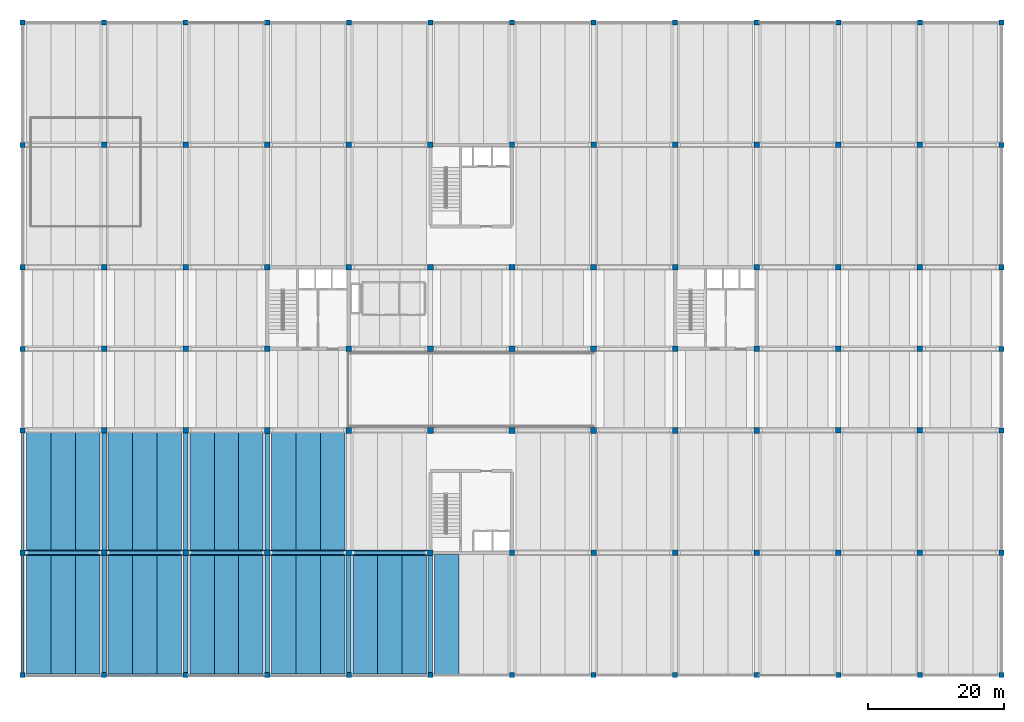
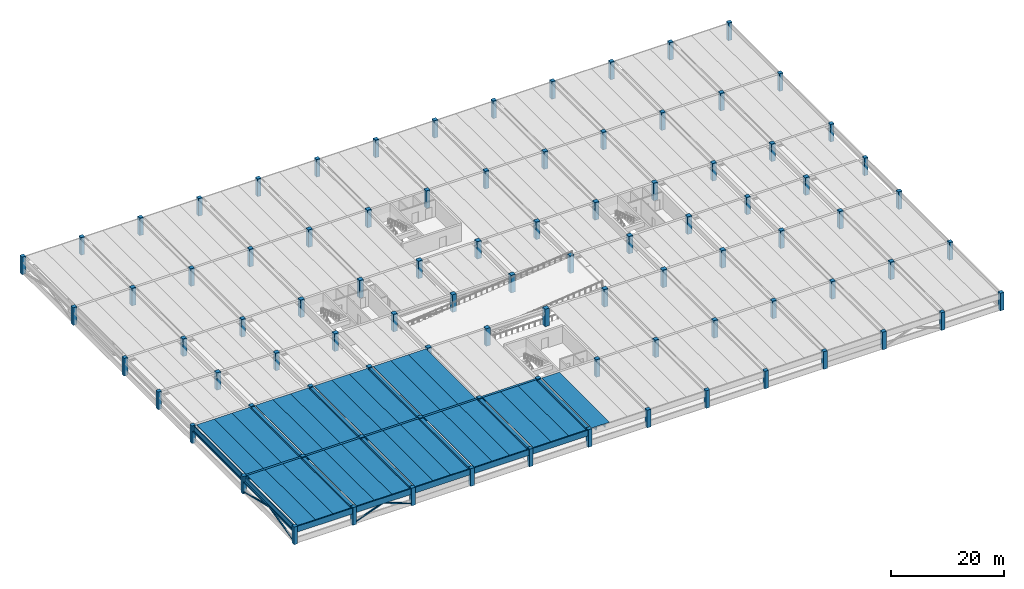
# One storey, part 1 of 14: 91 columns, 48 beams, 4 members.
"""IFC4 building model written with IfcOpenShell, lengths in metres."""

from ifc_helpers import new_model, si_unit, direction, frame, origin, origin_2d, place, context, subcontext, project, spatial, polyline, rectangle, hollow_rectangle, outline, extrude, material, material_profile, profile_set, type_object, element, save


model = new_model("IFC4")

# Units and contexts
model_context = context("Model", 3, precision=1e-05, world=origin(), true_north=direction((0.0, 1.0)))
body_context = subcontext(model_context, "Body", "Model", "MODEL_VIEW")
ifc_project = project(units=[si_unit("LENGTHUNIT", "METRE"), si_unit("AREAUNIT", "SQUARE_METRE"), si_unit("VOLUMEUNIT", "CUBIC_METRE"), si_unit("PLANEANGLEUNIT", "RADIAN"), si_unit("MASSUNIT", "GRAM", prefix="KILO")], contexts=[model_context])

# Site, building, storey
site_placement = place(None, origin())
site = spatial("IfcSite", under=ifc_project, at=site_placement, CompositionType="ELEMENT")
building_placement = place(site_placement, origin())
building = spatial("IfcBuilding", under=site, at=building_placement, Name="Girod Span Mobility Hub", CompositionType="ELEMENT")
storey_placement = place(building_placement, frame((0.0, 0.0, 24.800048828125)))
storey = spatial("IfcBuildingStorey", under=building, at=storey_placement, Name="L06", CompositionType="ELEMENT", Elevation=24.800048828125)

# Columns
ifc_material_1 = material(Name="Concrete C40/50", Category="concrete")
ifc_material_profile_1 = material_profile(ifc_material_1, rectangle(XDim=0.75, YDim=0.75, at=origin_2d()), Name="PC-COL-750X750")
ifc_profile_set_1 = profile_set([ifc_material_profile_1], Name="Concrete C40/50")
column_type_1 = type_object("IfcColumnType", Name="COL-PC-750X750", PredefinedType="COLUMN", material=ifc_profile_set_1)
for number, where, z_axis, x_axis, name in (
    (1, (12.0, 9.0, 0.0), (0.0, 0.0, 1.0), (1.0, 0.0, 0.0), "Column 2B L06"),
    (2, (12.0, 27.0, 0.0), (0.0, 0.0, 1.0), (1.0, 0.0, 0.0), "Column 2C L06"),
    (3, (12.0, 45.0, 0.0), (0.0, 0.0, 1.0), (1.0, 0.0, 0.0), "Column 2D L06"),
    (4, (12.0, 57.0, 0.0), (0.0, 0.0, 1.0), (1.0, 0.0, 0.0), "Column 2E L06"),
    (5, (12.0, 69.0, 0.0), (0.0, 0.0, 1.0), (1.0, 0.0, 0.0), "Column 2F L06"),
    (6, (12.0, 87.0, 0.0), (0.0, 0.0, 1.0), (1.0, 0.0, 0.0), "Column 2G L06"),
    (7, (12.0, 105.0, 0.0), (0.0, 0.0, 1.0), (1.0, 0.0, 0.0), "Column 2H L06"),
    (8, (24.0, 9.0, 0.0), (0.0, 0.0, 1.0), (1.0, 0.0, 0.0), "Column 3B L06"),
    (9, (24.0, 105.0, 0.0), (0.0, 0.0, 1.0), (1.0, 0.0, 0.0), "Column 3H L06"),
    (10, (36.0, 9.0, 0.0), (0.0, 0.0, 1.0), (1.0, 0.0, 0.0), "Column 4B L06"),
    (11, (36.0, 105.0, 0.0), (0.0, 0.0, 1.0), (1.0, 0.0, 0.0), "Column 4H L06"),
    (12, (48.0, 9.0, 0.0), (0.0, 0.0, 1.0), (1.0, 0.0, 0.0), "Column 5B L06"),
    (13, (48.0, 105.0, 0.0), (0.0, 0.0, 1.0), (1.0, 0.0, 0.0), "Column 5H L06"),
    (14, (60.0, 9.0, 0.0), (0.0, 0.0, 1.0), (1.0, 0.0, 0.0), "Column 6B L06"),
    (15, (60.0, 105.0, 0.0), (0.0, 0.0, 1.0), (1.0, 0.0, 0.0), "Column 6H L06"),
    (16, (72.0, 9.0, 0.0), (0.0, 0.0, 1.0), (1.0, 0.0, 0.0), "Column 7B L06"),
    (17, (72.0, 105.0, 0.0), (0.0, 0.0, 1.0), (1.0, 0.0, 0.0), "Column 7H L06"),
    (18, (84.0, 9.0, 0.0), (0.0, 0.0, 1.0), (1.0, 0.0, 0.0), "Column 8B L06"),
    (19, (84.0, 105.0, 0.0), (0.0, 0.0, 1.0), (1.0, 0.0, 0.0), "Column 8H L06"),
    (20, (96.0, 9.0, 0.0), (0.0, 0.0, 1.0), (1.0, 0.0, 0.0), "Column 9B L06"),
    (21, (96.0, 105.0, 0.0), (0.0, 0.0, 1.0), (1.0, 0.0, 0.0), "Column 9H L06"),
    (22, (108.0, 9.0, 0.0), (0.0, 0.0, 1.0), (1.0, 0.0, 0.0), "Column 10B L06"),
    (23, (108.0, 105.0, 0.0), (0.0, 0.0, 1.0), (1.0, 0.0, 0.0), "Column 10H L06"),
    (24, (120.0, 9.0, 0.0), (0.0, 0.0, 1.0), (1.0, 0.0, 0.0), "Column 11B L06"),
    (25, (120.0, 105.0, 0.0), (0.0, 0.0, 1.0), (1.0, 0.0, 0.0), "Column 11H L06"),
    (26, (132.0, 9.0, 0.0), (0.0, 0.0, 1.0), (1.0, 0.0, 0.0), "Column 12B L06"),
    (27, (132.0, 105.0, 0.0), (0.0, 0.0, 1.0), (1.0, 0.0, 0.0), "Column 12H L06"),
    (28, (144.0, 9.0, 0.0), (0.0, 0.0, 1.0), (1.0, 0.0, 0.0), "Column 13B L06"),
    (29, (144.0, 105.0, 0.0), (0.0, 0.0, 1.0), (1.0, 0.0, 0.0), "Column 13H L06"),
    (30, (156.0, 9.0, 0.0), (0.0, 0.0, 1.0), (1.0, 0.0, 0.0), "Column 14B L06"),
    (31, (156.0, 27.0, 0.0), (0.0, 0.0, 1.0), (1.0, 0.0, 0.0), "Column 14C L06"),
    (32, (156.0, 45.0, 0.0), (0.0, 0.0, 1.0), (1.0, 0.0, 0.0), "Column 14D L06"),
    (33, (156.0, 57.0, 0.0), (0.0, 0.0, 1.0), (1.0, 0.0, 0.0), "Column 14E L06"),
    (34, (156.0, 69.0, 0.0), (0.0, 0.0, 1.0), (1.0, 0.0, 0.0), "Column 14F L06"),
    (35, (156.0, 87.0, 0.0), (0.0, 0.0, 1.0), (1.0, 0.0, 0.0), "Column 14G L06"),
    (36, (156.0, 105.0, 0.0), (0.0, 0.0, 1.0), (1.0, 0.0, 0.0), "Column 14H L06"),
):
    element("IfcColumn", number, at=place(storey_placement, frame(where, z_axis=z_axis, x_axis=x_axis)), inside=storey, type_object=column_type_1, Name=name, PredefinedType="COLUMN", context=body_context, shape_type="SweptSolid", body=[
        extrude(rectangle(XDim=0.75, YDim=0.75, at=origin_2d()), origin(), (0.0, 0.0, 1.0), 3.800048828125),
    ])
ifc_material_2 = material(Name="Concrete C40/50", Category="concrete")
ifc_material_profile_2 = material_profile(ifc_material_2, rectangle(XDim=0.800048828125, YDim=0.800048828125, at=origin_2d()), Name="PC-COL-800X800")
ifc_profile_set_2 = profile_set([ifc_material_profile_2], Name="Concrete C40/50")
column_type_2 = type_object("IfcColumnType", Name="COL-PC-800X800", PredefinedType="COLUMN", material=ifc_profile_set_2)
for number, where, z_axis, x_axis, name in (
    (37, (24.0, 27.0, 0.0), (0.0, 0.0, 1.0), (1.0, 0.0, 0.0), "Column 3C L06"),
    (38, (24.0, 45.0, 0.0), (0.0, 0.0, 1.0), (1.0, 0.0, 0.0), "Column 3D L06"),
    (39, (24.0, 57.0, 0.0), (0.0, 0.0, 1.0), (1.0, 0.0, 0.0), "Column 3E L06"),
    (40, (24.0, 69.0, 0.0), (0.0, 0.0, 1.0), (1.0, 0.0, 0.0), "Column 3F L06"),
    (41, (24.0, 87.0, 0.0), (0.0, 0.0, 1.0), (1.0, 0.0, 0.0), "Column 3G L06"),
    (42, (36.0, 27.0, 0.0), (0.0, 0.0, 1.0), (1.0, 0.0, 0.0), "Column 4C L06"),
    (43, (36.0, 45.0, 0.0), (0.0, 0.0, 1.0), (1.0, 0.0, 0.0), "Column 4D L06"),
    (44, (36.0, 57.0, 0.0), (0.0, 0.0, 1.0), (1.0, 0.0, 0.0), "Column 4E L06"),
    (45, (36.0, 69.0, 0.0), (0.0, 0.0, 1.0), (1.0, 0.0, 0.0), "Column 4F L06"),
    (46, (36.0, 87.0, 0.0), (0.0, 0.0, 1.0), (1.0, 0.0, 0.0), "Column 4G L06"),
    (47, (48.0, 27.0, 0.0), (0.0, 0.0, 1.0), (1.0, 0.0, 0.0), "Column 5C L06"),
    (48, (48.0, 87.0, 0.0), (0.0, 0.0, 1.0), (1.0, 0.0, 0.0), "Column 5G L06"),
    (49, (60.0, 27.0, 0.0), (0.0, 0.0, 1.0), (1.0, 0.0, 0.0), "Column 6C L06"),
    (50, (60.0, 87.0, 0.0), (0.0, 0.0, 1.0), (1.0, 0.0, 0.0), "Column 6G L06"),
    (51, (72.0, 27.0, 0.0), (0.0, 0.0, 1.0), (1.0, 0.0, 0.0), "Column 7C L06"),
    (52, (72.0, 87.0, 0.0), (0.0, 0.0, 1.0), (1.0, 0.0, 0.0), "Column 7G L06"),
    (53, (84.0, 27.0, 0.0), (0.0, 0.0, 1.0), (1.0, 0.0, 0.0), "Column 8C L06"),
    (54, (84.0, 87.0, 0.0), (0.0, 0.0, 1.0), (1.0, 0.0, 0.0), "Column 8G L06"),
    (55, (96.0, 27.0, 0.0), (0.0, 0.0, 1.0), (1.0, 0.0, 0.0), "Column 9C L06"),
    (56, (96.0, 87.0, 0.0), (0.0, 0.0, 1.0), (1.0, 0.0, 0.0), "Column 9G L06"),
    (57, (108.0, 27.0, 0.0), (0.0, 0.0, 1.0), (1.0, 0.0, 0.0), "Column 10C L06"),
    (58, (108.0, 87.0, 0.0), (0.0, 0.0, 1.0), (1.0, 0.0, 0.0), "Column 10G L06"),
    (59, (120.0, 27.0, 0.0), (0.0, 0.0, 1.0), (1.0, 0.0, 0.0), "Column 11C L06"),
    (60, (120.0, 87.0, 0.0), (0.0, 0.0, 1.0), (1.0, 0.0, 0.0), "Column 11G L06"),
    (61, (132.0, 27.0, 0.0), (0.0, 0.0, 1.0), (1.0, 0.0, 0.0), "Column 12C L06"),
    (62, (132.0, 45.0, 0.0), (0.0, 0.0, 1.0), (1.0, 0.0, 0.0), "Column 12D L06"),
    (63, (132.0, 57.0, 0.0), (0.0, 0.0, 1.0), (1.0, 0.0, 0.0), "Column 12E L06"),
    (64, (132.0, 69.0, 0.0), (0.0, 0.0, 1.0), (1.0, 0.0, 0.0), "Column 12F L06"),
    (65, (132.0, 87.0, 0.0), (0.0, 0.0, 1.0), (1.0, 0.0, 0.0), "Column 12G L06"),
    (66, (144.0, 27.0, 0.0), (0.0, 0.0, 1.0), (1.0, 0.0, 0.0), "Column 13C L06"),
    (67, (144.0, 45.0, 0.0), (0.0, 0.0, 1.0), (1.0, 0.0, 0.0), "Column 13D L06"),
    (68, (144.0, 57.0, 0.0), (0.0, 0.0, 1.0), (1.0, 0.0, 0.0), "Column 13E L06"),
    (69, (144.0, 69.0, 0.0), (0.0, 0.0, 1.0), (1.0, 0.0, 0.0), "Column 13F L06"),
    (70, (144.0, 87.0, 0.0), (0.0, 0.0, 1.0), (1.0, 0.0, 0.0), "Column 13G L06"),
):
    element("IfcColumn", number, at=place(storey_placement, frame(where, z_axis=z_axis, x_axis=x_axis)), inside=storey, type_object=column_type_2, Name=name, PredefinedType="COLUMN", context=body_context, shape_type="SweptSolid", body=[
        extrude(rectangle(XDim=0.800048828125, YDim=0.800048828125, at=origin_2d()), origin(), (0.0, 0.0, 1.0), 3.800048828125),
    ])
ifc_material_3 = material(Name="Concrete C40/50", Category="concrete")
ifc_material_profile_3 = material_profile(ifc_material_3, rectangle(XDim=0.85009765625, YDim=0.85009765625, at=origin_2d()), Name="PC-COL-850X850")
ifc_profile_set_3 = profile_set([ifc_material_profile_3], Name="Concrete C40/50")
column_type_3 = type_object("IfcColumnType", Name="COL-PC-850X850", PredefinedType="COLUMN", material=ifc_profile_set_3)
for number, where, z_axis, x_axis, name in (
    (71, (48.0, 45.0, 0.0), (0.0, 0.0, 1.0), (1.0, 0.0, 0.0), "Column 5D L06"),
    (72, (48.0, 57.0, 0.0), (0.0, 0.0, 1.0), (1.0, 0.0, 0.0), "Column 5E L06"),
    (73, (48.0, 69.0, 0.0), (0.0, 0.0, 1.0), (1.0, 0.0, 0.0), "Column 5F L06"),
    (74, (60.0, 45.0, 0.0), (0.0, 0.0, 1.0), (1.0, 0.0, 0.0), "Column 6D L06"),
    (75, (60.0, 57.0, 0.0), (0.0, 0.0, 1.0), (1.0, 0.0, 0.0), "Column 6E L06"),
    (76, (60.0, 69.0, 0.0), (0.0, 0.0, 1.0), (1.0, 0.0, 0.0), "Column 6F L06"),
    (77, (72.0, 45.0, 0.0), (0.0, 0.0, 1.0), (1.0, 0.0, 0.0), "Column 7D L06"),
    (78, (72.0, 57.0, 0.0), (0.0, 0.0, 1.0), (1.0, 0.0, 0.0), "Column 7E L06"),
    (79, (72.0, 69.0, 0.0), (0.0, 0.0, 1.0), (1.0, 0.0, 0.0), "Column 7F L06"),
    (80, (84.0, 45.0, 0.0), (0.0, 0.0, 1.0), (1.0, 0.0, 0.0), "Column 8D L06"),
    (81, (84.0, 57.0, 0.0), (0.0, 0.0, 1.0), (1.0, 0.0, 0.0), "Column 8E L06"),
    (82, (84.0, 69.0, 0.0), (0.0, 0.0, 1.0), (1.0, 0.0, 0.0), "Column 8F L06"),
    (83, (96.0, 45.0, 0.0), (0.0, 0.0, 1.0), (1.0, 0.0, 0.0), "Column 9D L06"),
    (84, (96.0, 57.0, 0.0), (0.0, 0.0, 1.0), (1.0, 0.0, 0.0), "Column 9E L06"),
    (85, (96.0, 69.0, 0.0), (0.0, 0.0, 1.0), (1.0, 0.0, 0.0), "Column 9F L06"),
    (86, (108.0, 45.0, 0.0), (0.0, 0.0, 1.0), (1.0, 0.0, 0.0), "Column 10D L06"),
    (87, (108.0, 57.0, 0.0), (0.0, 0.0, 1.0), (1.0, 0.0, 0.0), "Column 10E L06"),
    (88, (108.0, 69.0, 0.0), (0.0, 0.0, 1.0), (1.0, 0.0, 0.0), "Column 10F L06"),
    (89, (120.0, 45.0, 0.0), (0.0, 0.0, 1.0), (1.0, 0.0, 0.0), "Column 11D L06"),
    (90, (120.0, 57.0, 0.0), (0.0, 0.0, 1.0), (1.0, 0.0, 0.0), "Column 11E L06"),
    (91, (120.0, 69.0, 0.0), (0.0, 0.0, 1.0), (1.0, 0.0, 0.0), "Column 11F L06"),
):
    element("IfcColumn", number, at=place(storey_placement, frame(where, z_axis=z_axis, x_axis=x_axis)), inside=storey, type_object=column_type_3, Name=name, PredefinedType="COLUMN", context=body_context, shape_type="SweptSolid", body=[
        extrude(rectangle(XDim=0.85009765625, YDim=0.85009765625, at=origin_2d()), origin(), (0.0, 0.0, 1.0), 3.800048828125),
    ])

# Beams
ifc_material_4 = material(Name="Concrete C50/60", Category="concrete")
ifc_material_profile_4 = material_profile(ifc_material_4, outline(polyline([(-1.800048828125, 0.425048828125), (-1.800048828125, 0.324951171875), (-1.0, 0.324951171875), (-0.969970703125, -0.425048828125), (-0.830078125, -0.425048828125), (-0.800048828125, 0.324951171875), (0.800048828125, 0.324951171875), (0.830078125, -0.425048828125), (0.969970703125, -0.425048828125), (1.0, 0.324951171875), (1.800048828125, 0.324951171875), (1.800048828125, 0.425048828125), (-1.800048828125, 0.425048828125)])), Name="DT-3600X850")
ifc_profile_set_4 = profile_set([ifc_material_profile_4], Name="Concrete C50/60")
beam_type_1 = type_object("IfcBeamType", Name="BM-DT-3600X850", PredefinedType="JOIST", material=ifc_profile_set_4)
for number, where, z_axis, x_axis, name in (
    (92, (14.39990234375, 9.01708984375, 3.199951171875), (0.0, 1.0, 0.0), (-1.0, 0.0, 0.0), "Double-Tee Deck 2/B-1 L06"),
    (93, (18.0, 9.01708984375, 3.199951171875), (0.0, 1.0, 0.0), (-1.0, 0.0, 0.0), "Double-Tee Deck 2/B-2 L06"),
    (94, (21.60009765625, 9.01708984375, 3.199951171875), (0.0, 1.0, 0.0), (-1.0, 0.0, 0.0), "Double-Tee Deck 2/B-3 L06"),
):
    element("IfcBeam", number, at=place(storey_placement, frame(where, z_axis=z_axis, x_axis=x_axis)), inside=storey, type_object=beam_type_1, Name=name, PredefinedType="JOIST", context=body_context, shape_type="SweptSolid", body=[
        extrude(outline(polyline([(-1.800048828125, 0.425048828125), (-1.800048828125, 0.324951171875), (-1.0, 0.324951171875), (-0.969970703125, -0.425048828125), (-0.830078125, -0.425048828125), (-0.800048828125, 0.324951171875), (0.800048828125, 0.324951171875), (0.830078125, -0.425048828125), (0.969970703125, -0.425048828125), (1.0, 0.324951171875), (1.800048828125, 0.324951171875), (1.800048828125, 0.425048828125), (-1.800048828125, 0.425048828125)])), origin(), (0.0, 0.0, 1.0), 17.755859375),
    ])
for number, where, z_axis, x_axis, name in (
    (95, (14.39990234375, 27.22705078125, 3.199951171875), (0.0, 1.0, 0.0), (-1.0, 0.0, 0.0), "Double-Tee Deck 2/C-1 L06"),
    (96, (18.0, 27.22705078125, 3.199951171875), (0.0, 1.0, 0.0), (-1.0, 0.0, 0.0), "Double-Tee Deck 2/C-2 L06"),
    (97, (21.60009765625, 27.22705078125, 3.199951171875), (0.0, 1.0, 0.0), (-1.0, 0.0, 0.0), "Double-Tee Deck 2/C-3 L06"),
):
    element("IfcBeam", number, at=place(storey_placement, frame(where, z_axis=z_axis, x_axis=x_axis)), inside=storey, type_object=beam_type_1, Name=name, PredefinedType="JOIST", context=body_context, shape_type="SweptSolid", body=[
        extrude(outline(polyline([(-1.800048828125, 0.425048828125), (-1.800048828125, 0.324951171875), (-1.0, 0.324951171875), (-0.969970703125, -0.425048828125), (-0.830078125, -0.425048828125), (-0.800048828125, 0.324951171875), (0.800048828125, 0.324951171875), (0.830078125, -0.425048828125), (0.969970703125, -0.425048828125), (1.0, 0.324951171875), (1.800048828125, 0.324951171875), (1.800048828125, 0.425048828125), (-1.800048828125, 0.425048828125)])), origin(), (0.0, 0.0, 1.0), 17.5458984375),
    ])
for number, where, z_axis, x_axis, name in (
    (98, (26.39990234375, 9.01708984375, 3.199951171875), (0.0, 1.0, 0.0), (-1.0, 0.0, 0.0), "Double-Tee Deck 3/B-1 L06"),
    (99, (30.0, 9.01708984375, 3.199951171875), (0.0, 1.0, 0.0), (-1.0, 0.0, 0.0), "Double-Tee Deck 3/B-2 L06"),
    (100, (33.60009765625, 9.01708984375, 3.199951171875), (0.0, 1.0, 0.0), (-1.0, 0.0, 0.0), "Double-Tee Deck 3/B-3 L06"),
):
    element("IfcBeam", number, at=place(storey_placement, frame(where, z_axis=z_axis, x_axis=x_axis)), inside=storey, type_object=beam_type_1, Name=name, PredefinedType="JOIST", context=body_context, shape_type="SweptSolid", body=[
        extrude(outline(polyline([(-1.800048828125, 0.425048828125), (-1.800048828125, 0.324951171875), (-1.0, 0.324951171875), (-0.969970703125, -0.425048828125), (-0.830078125, -0.425048828125), (-0.800048828125, 0.324951171875), (0.800048828125, 0.324951171875), (0.830078125, -0.425048828125), (0.969970703125, -0.425048828125), (1.0, 0.324951171875), (1.800048828125, 0.324951171875), (1.800048828125, 0.425048828125), (-1.800048828125, 0.425048828125)])), origin(), (0.0, 0.0, 1.0), 17.755859375),
    ])
for number, where, z_axis, x_axis, name in (
    (101, (26.39990234375, 27.22705078125, 3.199951171875), (0.0, 1.0, 0.0), (-1.0, 0.0, 0.0), "Double-Tee Deck 3/C-1 L06"),
    (102, (30.0, 27.22705078125, 3.199951171875), (0.0, 1.0, 0.0), (-1.0, 0.0, 0.0), "Double-Tee Deck 3/C-2 L06"),
    (103, (33.60009765625, 27.22705078125, 3.199951171875), (0.0, 1.0, 0.0), (-1.0, 0.0, 0.0), "Double-Tee Deck 3/C-3 L06"),
):
    element("IfcBeam", number, at=place(storey_placement, frame(where, z_axis=z_axis, x_axis=x_axis)), inside=storey, type_object=beam_type_1, Name=name, PredefinedType="JOIST", context=body_context, shape_type="SweptSolid", body=[
        extrude(outline(polyline([(-1.800048828125, 0.425048828125), (-1.800048828125, 0.324951171875), (-1.0, 0.324951171875), (-0.969970703125, -0.425048828125), (-0.830078125, -0.425048828125), (-0.800048828125, 0.324951171875), (0.800048828125, 0.324951171875), (0.830078125, -0.425048828125), (0.969970703125, -0.425048828125), (1.0, 0.324951171875), (1.800048828125, 0.324951171875), (1.800048828125, 0.425048828125), (-1.800048828125, 0.425048828125)])), origin(), (0.0, 0.0, 1.0), 17.5458984375),
    ])
for number, where, z_axis, x_axis, name in (
    (104, (38.39990234375, 9.01708984375, 3.199951171875), (0.0, 1.0, 0.0), (-1.0, 0.0, 0.0), "Double-Tee Deck 4/B-1 L06"),
    (105, (42.0, 9.01708984375, 3.199951171875), (0.0, 1.0, 0.0), (-1.0, 0.0, 0.0), "Double-Tee Deck 4/B-2 L06"),
    (106, (45.60009765625, 9.01708984375, 3.199951171875), (0.0, 1.0, 0.0), (-1.0, 0.0, 0.0), "Double-Tee Deck 4/B-3 L06"),
):
    element("IfcBeam", number, at=place(storey_placement, frame(where, z_axis=z_axis, x_axis=x_axis)), inside=storey, type_object=beam_type_1, Name=name, PredefinedType="JOIST", context=body_context, shape_type="SweptSolid", body=[
        extrude(outline(polyline([(-1.800048828125, 0.425048828125), (-1.800048828125, 0.324951171875), (-1.0, 0.324951171875), (-0.969970703125, -0.425048828125), (-0.830078125, -0.425048828125), (-0.800048828125, 0.324951171875), (0.800048828125, 0.324951171875), (0.830078125, -0.425048828125), (0.969970703125, -0.425048828125), (1.0, 0.324951171875), (1.800048828125, 0.324951171875), (1.800048828125, 0.425048828125), (-1.800048828125, 0.425048828125)])), origin(), (0.0, 0.0, 1.0), 17.755859375),
    ])
for number, where, z_axis, x_axis, name in (
    (107, (38.39990234375, 27.22705078125, 3.199951171875), (0.0, 1.0, 0.0), (-1.0, 0.0, 0.0), "Double-Tee Deck 4/C-1 L06"),
    (108, (42.0, 27.22705078125, 3.199951171875), (0.0, 1.0, 0.0), (-1.0, 0.0, 0.0), "Double-Tee Deck 4/C-2 L06"),
    (109, (45.60009765625, 27.22705078125, 3.199951171875), (0.0, 1.0, 0.0), (-1.0, 0.0, 0.0), "Double-Tee Deck 4/C-3 L06"),
):
    element("IfcBeam", number, at=place(storey_placement, frame(where, z_axis=z_axis, x_axis=x_axis)), inside=storey, type_object=beam_type_1, Name=name, PredefinedType="JOIST", context=body_context, shape_type="SweptSolid", body=[
        extrude(outline(polyline([(-1.800048828125, 0.425048828125), (-1.800048828125, 0.324951171875), (-1.0, 0.324951171875), (-0.969970703125, -0.425048828125), (-0.830078125, -0.425048828125), (-0.800048828125, 0.324951171875), (0.800048828125, 0.324951171875), (0.830078125, -0.425048828125), (0.969970703125, -0.425048828125), (1.0, 0.324951171875), (1.800048828125, 0.324951171875), (1.800048828125, 0.425048828125), (-1.800048828125, 0.425048828125)])), origin(), (0.0, 0.0, 1.0), 17.5458984375),
    ])
for number, where, z_axis, x_axis, name in (
    (110, (50.39990234375, 9.01708984375, 3.199951171875), (0.0, 1.0, 0.0), (-1.0, 0.0, 0.0), "Double-Tee Deck 5/B-1 L06"),
    (111, (54.0, 9.01708984375, 3.199951171875), (0.0, 1.0, 0.0), (-1.0, 0.0, 0.0), "Double-Tee Deck 5/B-2 L06"),
    (112, (57.60009765625, 9.01708984375, 3.199951171875), (0.0, 1.0, 0.0), (-1.0, 0.0, 0.0), "Double-Tee Deck 5/B-3 L06"),
):
    element("IfcBeam", number, at=place(storey_placement, frame(where, z_axis=z_axis, x_axis=x_axis)), inside=storey, type_object=beam_type_1, Name=name, PredefinedType="JOIST", context=body_context, shape_type="SweptSolid", body=[
        extrude(outline(polyline([(-1.800048828125, 0.425048828125), (-1.800048828125, 0.324951171875), (-1.0, 0.324951171875), (-0.969970703125, -0.425048828125), (-0.830078125, -0.425048828125), (-0.800048828125, 0.324951171875), (0.800048828125, 0.324951171875), (0.830078125, -0.425048828125), (0.969970703125, -0.425048828125), (1.0, 0.324951171875), (1.800048828125, 0.324951171875), (1.800048828125, 0.425048828125), (-1.800048828125, 0.425048828125)])), origin(), (0.0, 0.0, 1.0), 17.755859375),
    ])
for number, where, z_axis, x_axis, name in (
    (113, (50.39990234375, 27.22705078125, 3.199951171875), (0.0, 1.0, 0.0), (-1.0, 0.0, 0.0), "Double-Tee Deck 5/C-1 L06"),
    (114, (54.0, 27.22705078125, 3.199951171875), (0.0, 1.0, 0.0), (-1.0, 0.0, 0.0), "Double-Tee Deck 5/C-2 L06"),
    (115, (57.60009765625, 27.22705078125, 3.199951171875), (0.0, 1.0, 0.0), (-1.0, 0.0, 0.0), "Double-Tee Deck 5/C-3 L06"),
):
    element("IfcBeam", number, at=place(storey_placement, frame(where, z_axis=z_axis, x_axis=x_axis)), inside=storey, type_object=beam_type_1, Name=name, PredefinedType="JOIST", context=body_context, shape_type="SweptSolid", body=[
        extrude(outline(polyline([(-1.800048828125, 0.425048828125), (-1.800048828125, 0.324951171875), (-1.0, 0.324951171875), (-0.969970703125, -0.425048828125), (-0.830078125, -0.425048828125), (-0.800048828125, 0.324951171875), (0.800048828125, 0.324951171875), (0.830078125, -0.425048828125), (0.969970703125, -0.425048828125), (1.0, 0.324951171875), (1.800048828125, 0.324951171875), (1.800048828125, 0.425048828125), (-1.800048828125, 0.425048828125)])), origin(), (0.0, 0.0, 1.0), 17.5458984375),
    ])
for number, where, z_axis, x_axis, name in (
    (116, (62.39990234375, 9.01708984375, 3.199951171875), (0.0, 1.0, 0.0), (-1.0, 0.0, 0.0), "Double-Tee Deck 6/B-1 L06"),
    (117, (66.0, 9.01708984375, 3.199951171875), (0.0, 1.0, 0.0), (-1.0, 0.0, 0.0), "Double-Tee Deck 6/B-2 L06"),
    (118, (69.60009765625, 9.01708984375, 3.199951171875), (0.0, 1.0, 0.0), (-1.0, 0.0, 0.0), "Double-Tee Deck 6/B-3 L06"),
):
    element("IfcBeam", number, at=place(storey_placement, frame(where, z_axis=z_axis, x_axis=x_axis)), inside=storey, type_object=beam_type_1, Name=name, PredefinedType="JOIST", context=body_context, shape_type="SweptSolid", body=[
        extrude(outline(polyline([(-1.800048828125, 0.425048828125), (-1.800048828125, 0.324951171875), (-1.0, 0.324951171875), (-0.969970703125, -0.425048828125), (-0.830078125, -0.425048828125), (-0.800048828125, 0.324951171875), (0.800048828125, 0.324951171875), (0.830078125, -0.425048828125), (0.969970703125, -0.425048828125), (1.0, 0.324951171875), (1.800048828125, 0.324951171875), (1.800048828125, 0.425048828125), (-1.800048828125, 0.425048828125)])), origin(), (0.0, 0.0, 1.0), 17.755859375),
    ])
beam_1_placement = place(storey_placement, frame((74.39990234375, 9.01708984375, 3.199951171875), z_axis=(0.0, 1.0, 0.0), x_axis=(-1.0, 0.0, 0.0)))
element("IfcBeam", 119, at=beam_1_placement, inside=storey, type_object=beam_type_1, Name="Double-Tee Deck 7/B-1 L06", PredefinedType="JOIST", context=body_context, shape_type="SweptSolid", body=[
    extrude(outline(polyline([(-1.800048828125, 0.425048828125), (-1.800048828125, 0.324951171875), (-1.0, 0.324951171875), (-0.969970703125, -0.425048828125), (-0.830078125, -0.425048828125), (-0.800048828125, 0.324951171875), (0.800048828125, 0.324951171875), (0.830078125, -0.425048828125), (0.969970703125, -0.425048828125), (1.0, 0.324951171875), (1.800048828125, 0.324951171875), (1.800048828125, 0.425048828125), (-1.800048828125, 0.425048828125)])), origin(), (0.0, 0.0, 1.0), 17.760986328125),
])
ifc_material_5 = material(Name="Concrete C50/60", Category="concrete")
ifc_material_profile_5 = material_profile(ifc_material_5, outline(polyline([(-0.39990234375, -0.449951171875), (0.39990234375, -0.449951171875), (0.39990234375, -0.14990234375), (0.22998046875, -0.14990234375), (0.22998046875, 0.449951171875), (-0.22998046875, 0.449951171875), (-0.22998046875, -0.14990234375), (-0.39990234375, -0.14990234375), (-0.39990234375, -0.449951171875)])), Name="IT-800X900")
ifc_profile_set_5 = profile_set([ifc_material_profile_5], Name="Concrete C50/60")
beam_type_2 = type_object("IfcBeamType", Name="BM-IT-800X900", PredefinedType="T_BEAM", material=ifc_profile_set_5)
beam_2_placement = place(storey_placement, frame((12.3720703125, 27.0, 3.175048828125), z_axis=(1.0, 0.0, 0.0), x_axis=(0.0, 1.0, 0.0)))
element("IfcBeam", 120, at=beam_2_placement, inside=storey, type_object=beam_type_2, Name="Girder 2-3/C L06", PredefinedType="T_BEAM", context=body_context, shape_type="SweptSolid", body=[
    extrude(outline(polyline([(-0.39990234375, -0.449951171875), (0.39990234375, -0.449951171875), (0.39990234375, -0.14990234375), (0.22998046875, -0.14990234375), (0.22998046875, 0.449951171875), (-0.22998046875, 0.449951171875), (-0.22998046875, -0.14990234375), (-0.39990234375, -0.14990234375), (-0.39990234375, -0.449951171875)])), origin(), (0.0, 0.0, 1.0), 11.23095703125),
])
for number, where, z_axis, x_axis, name in (
    (121, (24.39697265625, 27.0, 3.175048828125), (1.0, 0.0, 0.0), (0.0, 1.0, 0.0), "Girder 3-4/C L06"),
    (122, (36.39697265625, 27.0, 3.175048828125), (1.0, 0.0, 0.0), (0.0, 1.0, 0.0), "Girder 4-5/C L06"),
    (123, (48.39697265625, 27.0, 3.175048828125), (1.0, 0.0, 0.0), (0.0, 1.0, 0.0), "Girder 5-6/C L06"),
    (124, (60.39697265625, 27.0, 3.175048828125), (1.0, 0.0, 0.0), (0.0, 1.0, 0.0), "Girder 6-7/C L06"),
):
    element("IfcBeam", number, at=place(storey_placement, frame(where, z_axis=z_axis, x_axis=x_axis)), inside=storey, type_object=beam_type_2, Name=name, PredefinedType="T_BEAM", context=body_context, shape_type="SweptSolid", body=[
        extrude(outline(polyline([(-0.39990234375, -0.449951171875), (0.39990234375, -0.449951171875), (0.39990234375, -0.14990234375), (0.22998046875, -0.14990234375), (0.22998046875, 0.449951171875), (-0.22998046875, 0.449951171875), (-0.22998046875, -0.14990234375), (-0.39990234375, -0.14990234375), (-0.39990234375, -0.449951171875)])), origin(), (0.0, 0.0, 1.0), 11.2060546875),
    ])
ifc_material_6 = material(Name="Concrete C40/50", Category="concrete")
ifc_material_profile_6 = material_profile(ifc_material_6, outline(polyline([(-0.199951171875, -0.625), (0.199951171875, -0.625), (0.199951171875, -0.304931640625), (0.02001953125, -0.304931640625), (0.02001953125, 0.625), (-0.199951171875, 0.625), (-0.199951171875, -0.625)])), Name="SP-400X1250")
ifc_profile_set_6 = profile_set([ifc_material_profile_6], Name="Concrete C40/50")
beam_type_3 = type_object("IfcBeamType", Name="BM-SP-400X1250", PredefinedType="SPANDREL", material=ifc_profile_set_6)
for number, where, z_axis, x_axis, name in (
    (125, (12.3720703125, 9.0, 3.0), (1.0, 0.0, 0.0), (0.0, 1.0, 0.0), "Girder 2-3/B L06"),
    (126, (24.3720703125, 9.0, 3.0), (1.0, 0.0, 0.0), (0.0, 1.0, 0.0), "Girder 3-4/B L06"),
    (127, (36.3720703125, 9.0, 3.0), (1.0, 0.0, 0.0), (0.0, 1.0, 0.0), "Girder 4-5/B L06"),
    (128, (48.3720703125, 9.0, 3.0), (1.0, 0.0, 0.0), (0.0, 1.0, 0.0), "Girder 5-6/B L06"),
    (129, (60.3720703125, 9.0, 3.0), (1.0, 0.0, 0.0), (0.0, 1.0, 0.0), "Girder 6-7/B L06"),
):
    element("IfcBeam", number, at=place(storey_placement, frame(where, z_axis=z_axis, x_axis=x_axis)), inside=storey, type_object=beam_type_3, Name=name, PredefinedType="SPANDREL", context=body_context, shape_type="SweptSolid", body=[
        extrude(outline(polyline([(-0.199951171875, -0.625), (0.199951171875, -0.625), (0.199951171875, -0.304931640625), (0.02001953125, -0.304931640625), (0.02001953125, 0.625), (-0.199951171875, 0.625), (-0.199951171875, -0.625)])), origin(), (0.0, 0.0, 1.0), 11.255859375),
    ])
for number, where, z_axis, x_axis, name in (
    (130, (12.0, 9.3720703125, 3.0), (0.0, 1.0, 0.0), (-1.0, 0.0, 0.0), "Tie Girder 2/B-C L06"),
    (131, (12.0, 27.3720703125, 3.0), (0.0, 1.0, 0.0), (-1.0, 0.0, 0.0), "Tie Girder 2/C-D L06"),
):
    element("IfcBeam", number, at=place(storey_placement, frame(where, z_axis=z_axis, x_axis=x_axis)), inside=storey, type_object=beam_type_3, Name=name, PredefinedType="SPANDREL", context=body_context, shape_type="SweptSolid", body=[
        extrude(outline(polyline([(-0.199951171875, -0.625), (0.199951171875, -0.625), (0.199951171875, -0.304931640625), (0.02001953125, -0.304931640625), (0.02001953125, 0.625), (-0.199951171875, 0.625), (-0.199951171875, -0.625)])), origin(), (0.0, 0.0, 1.0), 17.255859375),
    ])
ifc_material_7 = material(Name="Concrete C40/50", Category="concrete")
ifc_material_profile_7 = material_profile(ifc_material_7, rectangle(XDim=0.64990234375, YDim=1.0, at=origin_2d()), Name="TG-650X1000")
ifc_profile_set_7 = profile_set([ifc_material_profile_7], Name="Concrete C40/50")
beam_type_4 = type_object("IfcBeamType", Name="BM-TG-650X1000", PredefinedType="T_BEAM", material=ifc_profile_set_7)
beam_3_placement = place(storey_placement, frame((24.0, 9.3720703125, 3.125), z_axis=(0.0, 1.0, 0.0), x_axis=(-1.0, 0.0, 0.0)))
element("IfcBeam", 132, at=beam_3_placement, inside=storey, type_object=beam_type_4, Name="Tie Girder 3/B-C L06", PredefinedType="T_BEAM", context=body_context, shape_type="SweptSolid", body=[
    extrude(rectangle(XDim=0.64990234375, YDim=1.0, at=origin_2d()), origin(), (0.0, 0.0, 1.0), 17.23095703125),
])
beam_4_placement = place(storey_placement, frame((24.0, 27.39697265625, 3.125), z_axis=(0.0, 1.0, 0.0), x_axis=(-1.0, 0.0, 0.0)))
element("IfcBeam", 133, at=beam_4_placement, inside=storey, type_object=beam_type_4, Name="Tie Girder 3/C-D L06", PredefinedType="T_BEAM", context=body_context, shape_type="SweptSolid", body=[
    extrude(rectangle(XDim=0.64990234375, YDim=1.0, at=origin_2d()), origin(), (0.0, 0.0, 1.0), 17.2060546875),
])
beam_5_placement = place(storey_placement, frame((36.0, 9.3720703125, 3.125), z_axis=(0.0, 1.0, 0.0), x_axis=(-1.0, 0.0, 0.0)))
element("IfcBeam", 134, at=beam_5_placement, inside=storey, type_object=beam_type_4, Name="Tie Girder 4/B-C L06", PredefinedType="T_BEAM", context=body_context, shape_type="SweptSolid", body=[
    extrude(rectangle(XDim=0.64990234375, YDim=1.0, at=origin_2d()), origin(), (0.0, 0.0, 1.0), 17.23095703125),
])
beam_6_placement = place(storey_placement, frame((36.0, 27.39697265625, 3.125), z_axis=(0.0, 1.0, 0.0), x_axis=(-1.0, 0.0, 0.0)))
element("IfcBeam", 135, at=beam_6_placement, inside=storey, type_object=beam_type_4, Name="Tie Girder 4/C-D L06", PredefinedType="T_BEAM", context=body_context, shape_type="SweptSolid", body=[
    extrude(rectangle(XDim=0.64990234375, YDim=1.0, at=origin_2d()), origin(), (0.0, 0.0, 1.0), 17.2060546875),
])
beam_7_placement = place(storey_placement, frame((48.0, 9.3720703125, 3.125), z_axis=(0.0, 1.0, 0.0), x_axis=(-1.0, 0.0, 0.0)))
element("IfcBeam", 136, at=beam_7_placement, inside=storey, type_object=beam_type_4, Name="Tie Girder 5/B-C L06", PredefinedType="T_BEAM", context=body_context, shape_type="SweptSolid", body=[
    extrude(rectangle(XDim=0.64990234375, YDim=1.0, at=origin_2d()), origin(), (0.0, 0.0, 1.0), 17.23095703125),
])
beam_8_placement = place(storey_placement, frame((48.0, 27.39697265625, 3.125), z_axis=(0.0, 1.0, 0.0), x_axis=(-1.0, 0.0, 0.0)))
element("IfcBeam", 137, at=beam_8_placement, inside=storey, type_object=beam_type_4, Name="Tie Girder 5/C-D L06", PredefinedType="T_BEAM", context=body_context, shape_type="SweptSolid", body=[
    extrude(rectangle(XDim=0.64990234375, YDim=1.0, at=origin_2d()), origin(), (0.0, 0.0, 1.0), 17.180908203125),
])
for number, where, z_axis, x_axis, name in (
    (138, (60.0, 9.3720703125, 3.125), (0.0, 1.0, 0.0), (-1.0, 0.0, 0.0), "Tie Girder 6/B-C L06"),
    (139, (72.0, 9.3720703125, 3.125), (0.0, 1.0, 0.0), (-1.0, 0.0, 0.0), "Tie Girder 7/B-C L06"),
):
    element("IfcBeam", number, at=place(storey_placement, frame(where, z_axis=z_axis, x_axis=x_axis)), inside=storey, type_object=beam_type_4, Name=name, PredefinedType="T_BEAM", context=body_context, shape_type="SweptSolid", body=[
        extrude(rectangle(XDim=0.64990234375, YDim=1.0, at=origin_2d()), origin(), (0.0, 0.0, 1.0), 17.23095703125),
    ])

# Members
ifc_material_8 = material(Name="Steel HSS A500 Grade C", Category="steel")
ifc_material_profile_8 = material_profile(ifc_material_8, hollow_rectangle(XDim=0.25390625, YDim=0.25390625, WallThickness=0.01171875, InnerFilletRadius=0.01171875, OuterFilletRadius=0.023681640625, at=origin_2d()), Name="HSS254X254X12.7")
ifc_profile_set_8 = profile_set([ifc_material_profile_8], Name="Steel HSS A500 Grade C")
member_type = type_object("IfcMemberType", Name="MB-BR-HSS254", PredefinedType="BRACE", material=ifc_profile_set_8)
for number, where, z_axis, x_axis, name in (
    (140, (24.35498046875, 9.0, 0.349853515625), (0.93697705692, 0.0, 0.349390891132), (0.0, 1.0, 0.0), "Perimeter Chevron Brace 3/B-L L06"),
    (141, (35.64501953125, 9.0, 0.349853515625), (-0.93697705692, 0.0, 0.349390891132), (0.0, -1.0, 0.0), "Perimeter Chevron Brace 3/B-R L06"),
):
    element("IfcMember", number, at=place(storey_placement, frame(where, z_axis=z_axis, x_axis=x_axis)), inside=storey, type_object=member_type, Name=name, PredefinedType="BRACE", context=body_context, shape_type="SweptSolid", body=[
        extrude(hollow_rectangle(XDim=0.25390625, YDim=0.25390625, WallThickness=0.01171875, InnerFilletRadius=0.01171875, OuterFilletRadius=0.023681640625, at=origin_2d()), origin(), (0.0, 0.0, 1.0), 6.024658203125),
    ])
for number, where, z_axis, x_axis, name in (
    (142, (12.0, 9.35498046875, 0.349853515625), (0.0, 0.971612396053, 0.236578426398), (-1.0, 0.0, 0.0), "Side Chevron Brace 2/B-S L06"),
    (143, (12.0, 26.64501953125, 0.349853515625), (0.0, -0.971612396053, 0.236578426398), (1.0, 0.0, 0.0), "Side Chevron Brace 2/B-N L06"),
):
    element("IfcMember", number, at=place(storey_placement, frame(where, z_axis=z_axis, x_axis=x_axis)), inside=storey, type_object=member_type, Name=name, PredefinedType="BRACE", context=body_context, shape_type="SweptSolid", body=[
        extrude(hollow_rectangle(XDim=0.25390625, YDim=0.25390625, WallThickness=0.01171875, InnerFilletRadius=0.01171875, OuterFilletRadius=0.023681640625, at=origin_2d()), origin(), (0.0, 0.0, 1.0), 8.897705078125),
    ])

save(model, "model.ifc")
